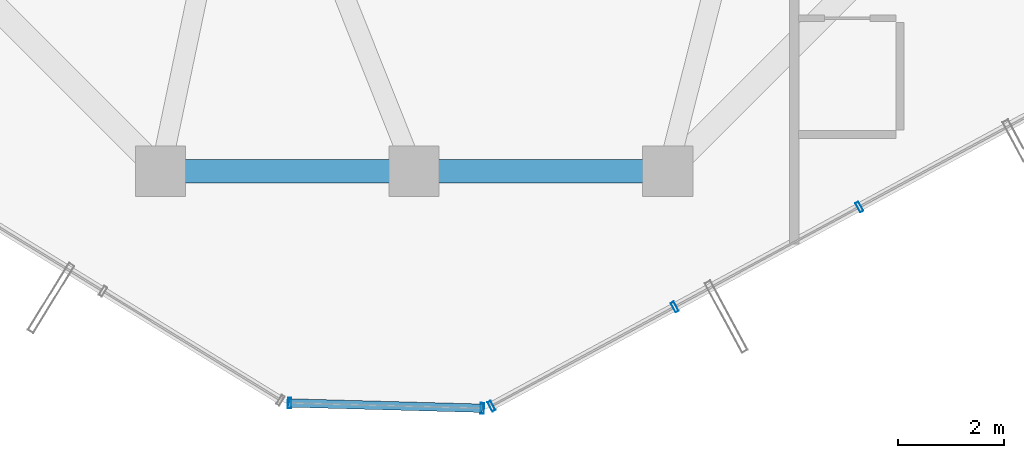
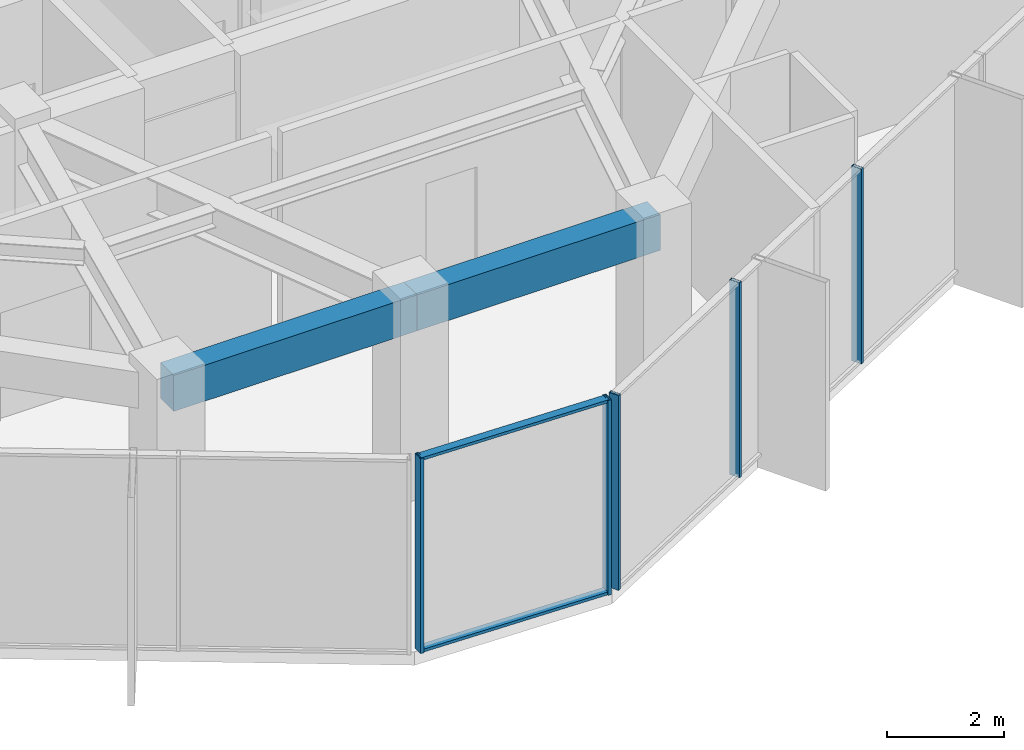
# One storey, part 5 of 22: 7 members, 2 beams, 2 elements without a shape of their own.
"""IFC4 building model written with IfcOpenShell, lengths in metres."""

from ifc_helpers import new_model, si_unit, direction, frame, origin, origin_2d, place, context, subcontext, project, spatial, rectangle, hollow_rectangle, extrude, source, transform, mapped, material, layer, layer_set, material_profile, profile_set, type_object, element, aggregate, save


model = new_model("IFC4")

# Units and contexts
model_context = context("Model", 3, precision=1e-05, world=origin(), true_north=direction((0.0, 1.0)))
body_context = subcontext(model_context, "Body", "Model", "MODEL_VIEW")
ifc_project = project(units=[si_unit("LENGTHUNIT", "METRE"), si_unit("AREAUNIT", "SQUARE_METRE"), si_unit("VOLUMEUNIT", "CUBIC_METRE"), si_unit("PLANEANGLEUNIT", "RADIAN"), si_unit("MASSUNIT", "GRAM", prefix="KILO")], contexts=[model_context])

# Site, building, storey
site_placement = place(None, origin())
site = spatial("IfcSite", under=ifc_project, at=site_placement, CompositionType="ELEMENT")
building_placement = place(site_placement, origin())
building = spatial("IfcBuilding", under=site, at=building_placement, Name="Veraguas Prism Commons", CompositionType="ELEMENT")
storey_placement = place(building_placement, frame((0.0, 0.0, 211.35009765625)))
storey = spatial("IfcBuildingStorey", under=building, at=storey_placement, Name="L60", CompositionType="ELEMENT", Elevation=211.35009765625)

# Beams
ifc_material_1 = material(Name="Concrete C50/60", Category="concrete")
ifc_material_profile_1 = material_profile(ifc_material_1, rectangle(XDim=0.449951171875, YDim=0.75, at=origin_2d()), Name="RC450X750")
ifc_profile_set_1 = profile_set([ifc_material_profile_1], Name="Concrete C50/60")
beam_type = type_object("IfcBeamType", Name="Perimeter Spandrel Upper RC 450x750", PredefinedType="SPANDREL", material=ifc_profile_set_1)
for number, where, z_axis, x_axis, name in (
    (1, (19.199951171875, 9.10009765625, 3.68994140625), (1.0, 0.0, 0.0), (0.0, 1.0, 0.0), "Perimeter Spandrel Beam L60-SP10"),
    (2, (24.0, 9.10009765625, 3.68994140625), (1.0, 0.0, 0.0), (0.0, 1.0, 0.0), "Perimeter Spandrel Beam L60-SP11"),
):
    element("IfcBeam", number, at=place(storey_placement, frame(where, z_axis=z_axis, x_axis=x_axis)), inside=storey, type_object=beam_type, Name=name, PredefinedType="SPANDREL", context=body_context, shape_type="SweptSolid", body=[
        extrude(rectangle(XDim=0.449951171875, YDim=0.75, at=origin_2d()), origin(), (0.0, 0.0, 1.0), 4.800048828125),
    ])

# Curtain wall, members
ifc_material_2 = material(Name="Anodised aluminium EN AW-6063 T6", Category="aluminium")
ifc_layer = layer(ifc_material_2, 0.199951171875, Name="Sky Lobby and Pool Acoustic Curtain Wall", Category="aluminium")
ifc_layer_set = layer_set([ifc_layer], Name="Anodised aluminium EN AW-6063 T6")
curtain_wall_type = type_object("IfcCurtainWallType", Name="Sky Lobby and Pool Acoustic Curtain Wall", PredefinedType="NOTDEFINED", material=ifc_layer_set)
curtain_wall_1_placement = place(storey_placement, origin())
curtain_wall_1 = element("IfcCurtainWall", 3, at=curtain_wall_1_placement, inside=storey, type_object=curtain_wall_type, Name="Chamfer Curtain Wall L60-C5", PredefinedType="NOTDEFINED")
ifc_material_profile_2 = material_profile(ifc_material_2, hollow_rectangle(XDim=0.06005859375, YDim=0.159912109375, WallThickness=0.0029296875, at=origin_2d()), Name="AL60X160X3")
ifc_profile_set_2 = profile_set([ifc_material_profile_2], Name="Anodised aluminium EN AW-6063 T6")
member_type_1 = type_object("IfcMemberType", Name="Curtain Wall Transom Heavy AL 60x160x3", PredefinedType="USERDEFINED", material=ifc_profile_set_2)
shared_shape_1 = source(origin(), body_context, "Body", "SweptSolid", [
    extrude(hollow_rectangle(XDim=0.06005859375, YDim=0.159912109375, WallThickness=0.0029296875, at=origin_2d()), origin(), (0.0, 0.0, 1.0), 3.6494140625),
])
member_1_placement = place(storey_placement, frame((21.642578125, 4.714599609375, 0.02978515625), z_axis=(0.999620073648, -0.027562807545, 0.0), x_axis=(0.0, 0.0, 1.0)))
member_1 = element("IfcMember", 4, at=member_1_placement, type_object=member_type_1, Name="CW-SKY Transom 1", ObjectType="TRANSOM", PredefinedType="USERDEFINED", context=body_context, shape_type="MappedRepresentation", body=[
    mapped(shared_shape_1, transform((0.0, 0.0, 0.0), scale=1.0)),
])
member_2_placement = place(storey_placement, frame((21.642578125, 4.714599609375, 4.034912109375), z_axis=(0.999620073648, -0.027562807545, 0.0), x_axis=(0.0, 0.0, 1.0)))
member_2 = element("IfcMember", 5, at=member_2_placement, type_object=member_type_1, Name="CW-SKY Transom 2", ObjectType="TRANSOM", PredefinedType="USERDEFINED", context=body_context, shape_type="MappedRepresentation", body=[
    mapped(shared_shape_1, transform((0.0, 0.0, 0.0), scale=1.0)),
])

curtain_wall_2_placement = place(storey_placement, origin())
curtain_wall_2 = element("IfcCurtainWall", 6, at=curtain_wall_2_placement, inside=storey, type_object=curtain_wall_type, Name="Tower Facade Curtain Wall L60-F5", PredefinedType="NOTDEFINED")
ifc_material_profile_3 = material_profile(ifc_material_2, hollow_rectangle(XDim=0.06494140625, YDim=0.199951171875, WallThickness=0.00390625, at=origin_2d()), Name="AL65X200X4")
ifc_profile_set_3 = profile_set([ifc_material_profile_3], Name="Anodised aluminium EN AW-6063 T6")
member_type_2 = type_object("IfcMemberType", Name="Curtain Wall Mullion Heavy AL 65x200x4", PredefinedType="MULLION", material=ifc_profile_set_3)
shared_shape_2 = source(origin(), body_context, "Body", "SweptSolid", [
    extrude(hollow_rectangle(XDim=0.06494140625, YDim=0.199951171875, WallThickness=0.00390625, at=origin_2d()), origin(), (0.0, 0.0, 1.0), 4.06494140625),
])
member_3_placement = place(storey_placement, frame((25.464599609375, 4.655517578125, 0.0), z_axis=(0.0, 0.0, 1.0), x_axis=(0.879484156418, 0.475928165389, 0.0)))
member_3 = element("IfcMember", 7, at=member_3_placement, type_object=member_type_2, Name="CW-SKY Mullion 1", PredefinedType="MULLION", context=body_context, shape_type="MappedRepresentation", body=[
    mapped(shared_shape_2, transform((0.0, 0.0, 0.0), scale=1.0)),
])
member_4_placement = place(storey_placement, frame((28.932373046875, 6.531982421875, 0.0), z_axis=(0.0, 0.0, 1.0), x_axis=(0.879484156418, 0.475928165389, 0.0)))
member_4 = element("IfcMember", 8, at=member_4_placement, type_object=member_type_2, Name="CW-SKY Mullion 2", PredefinedType="MULLION", context=body_context, shape_type="MappedRepresentation", body=[
    mapped(shared_shape_2, transform((0.0, 0.0, 0.0), scale=1.0)),
])
member_5_placement = place(storey_placement, frame((32.428955078125, 8.42431640625, 0.0), z_axis=(0.0, 0.0, 1.0), x_axis=(0.879484156418, 0.475928165389, 0.0)))
member_5 = element("IfcMember", 9, at=member_5_placement, type_object=member_type_2, Name="CW-SKY Mullion 3", PredefinedType="MULLION", context=body_context, shape_type="MappedRepresentation", body=[
    mapped(shared_shape_2, transform((0.0, 0.0, 0.0), scale=1.0)),
])
aggregate(curtain_wall_2, [member_3, member_4, member_5])

# Member
member_6_placement = place(storey_placement, frame((21.642578125, 4.714599609375, 0.0), z_axis=(0.0, 0.0, 1.0), x_axis=(0.99962066636, -0.027541303279, 0.0)))
member_6 = element("IfcMember", 10, at=member_6_placement, type_object=member_type_2, Name="CW-SKY Mullion 1", PredefinedType="MULLION", context=body_context, shape_type="MappedRepresentation", body=[
    mapped(shared_shape_2, transform((0.0, 0.0, 0.0), scale=1.0)),
])

member_7_placement = place(storey_placement, frame((25.29052734375, 4.614013671875, 0.0), z_axis=(0.0, 0.0, 1.0), x_axis=(0.99962066636, -0.027541303279, 0.0)))
member_7 = element("IfcMember", 11, at=member_7_placement, type_object=member_type_2, Name="CW-SKY Mullion 2", PredefinedType="MULLION", context=body_context, shape_type="MappedRepresentation", body=[
    mapped(shared_shape_2, transform((0.0, 0.0, 0.0), scale=1.0)),
])

aggregate(curtain_wall_1, [member_6, member_7, member_1, member_2])

save(model, "model.ifc")
